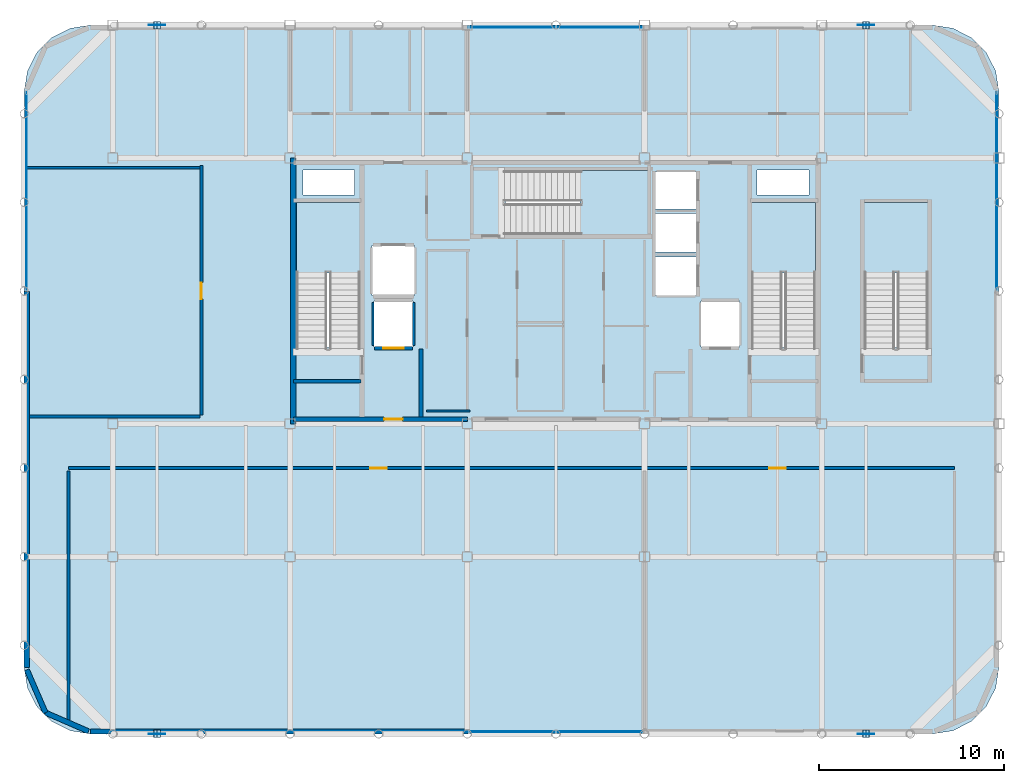
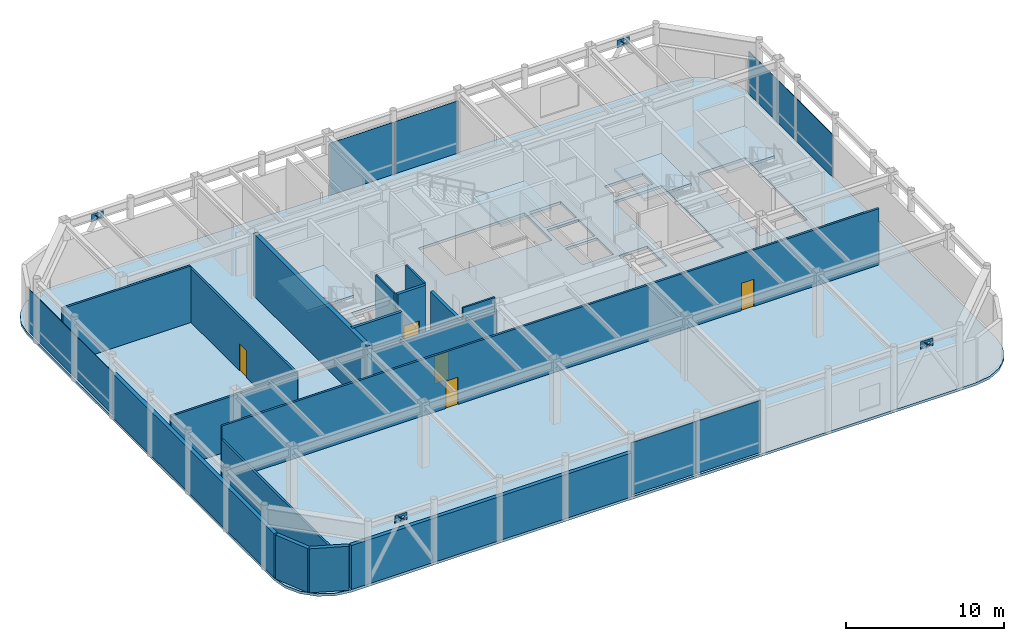
# One storey, part 16 of 21: 18 plates, 17 walls, 5 doors, 5 slabs, 5 openings, 8 elements without a shape of their own.
"""IFC4 building model written with IfcOpenShell, lengths in metres."""

from ifc_helpers import new_model, si_unit, direction, frame, frame_2d, origin, origin_2d, place, context, subcontext, project, spatial, polyline, rectangle, outline, extrude, material, layer, layer_set, type_object, element, fill, aggregate, save


model = new_model("IFC4")

# Units and contexts
model_context = context("Model", 3, precision=1e-05, world=origin(), true_north=direction((0.0, 1.0)))
body_context = subcontext(model_context, "Body", "Model", "MODEL_VIEW")
ifc_project = project(units=[si_unit("LENGTHUNIT", "METRE"), si_unit("AREAUNIT", "SQUARE_METRE"), si_unit("VOLUMEUNIT", "CUBIC_METRE"), si_unit("PLANEANGLEUNIT", "RADIAN"), si_unit("MASSUNIT", "GRAM", prefix="KILO")], contexts=[model_context])

# Site, building, storey
site_placement = place(None, origin())
site = spatial("IfcSite", under=ifc_project, at=site_placement, CompositionType="ELEMENT")
building_placement = place(site_placement, origin())
building = spatial("IfcBuilding", under=site, at=building_placement, Name="Kallvorn Hotel Tower", CompositionType="ELEMENT")
storey_placement = place(building_placement, frame((0.0, 0.0, 295.60009765625)))
storey = spatial("IfcBuildingStorey", under=building, at=storey_placement, Name="L73", CompositionType="ELEMENT", Elevation=295.60009765625)

# Curtain wall, plates
ifc_material_1 = material(Name="Thermally broken black-anodised aluminium AA 6063-T6", Category="aluminium")
ifc_layer_1 = layer(ifc_material_1, 0.25)
ifc_layer_set_1 = layer_set([ifc_layer_1], Name="CW_SYS_6_SUMMIT_OBS")
curtain_wall_type = type_object("IfcCurtainWallType", Name="CW_SYS_6_SUMMIT_OBS", PredefinedType="USERDEFINED", material=ifc_layer_set_1)
curtain_wall_1_placement = place(storey_placement, origin())
curtain_wall_1 = element("IfcCurtainWall", 1, at=curtain_wall_1_placement, inside=storey, type_object=curtain_wall_type, Name="L73 Dark-Glass Curtain Wall CW-L73-SC", ObjectType="UNITISED CURTAIN WALL", PredefinedType="USERDEFINED")
ifc_material_2 = material(Name="Triple-glazed low-e acoustic solar-control dark glass", Category="glass")
ifc_layer_2 = layer(ifc_material_2, 0.044921875)
ifc_layer_set_2 = layer_set([ifc_layer_2], Name="CW_SYS_6_SUMMIT_OBS_PANEL")
plate_type_1 = type_object("IfcPlateType", Name="CW_SYS_6_SUMMIT_OBS_PANEL", PredefinedType="CURTAIN_PANEL", material=ifc_layer_set_2)
plate_1_placement = place(storey_placement, frame((-2.375, -23.8798828125, 0.06005859375), z_axis=(0.0, 0.0, 1.0), x_axis=(1.0, 0.0, 0.0)))
plate_1 = element("IfcPlate", 2, at=plate_1_placement, type_object=plate_type_1, Name="CW-L73-SC Vision Glass Panel 00", PredefinedType="CURTAIN_PANEL", context=body_context, shape_type="SweptSolid", body=[
    extrude(rectangle(XDim=4.68994140625, YDim=0.044921875, at=origin_2d()), origin(), (0.0, 0.0, 1.0), 4.030029296875),
])
plate_2_placement = place(storey_placement, frame((2.375, -23.8798828125, 0.06005859375), z_axis=(0.0, 0.0, 1.0), x_axis=(1.0, 0.0, 0.0)))
plate_2 = element("IfcPlate", 3, at=plate_2_placement, type_object=plate_type_1, Name="CW-L73-SC Vision Glass Panel 01", PredefinedType="CURTAIN_PANEL", context=body_context, shape_type="SweptSolid", body=[
    extrude(rectangle(XDim=4.68994140625, YDim=0.044921875, at=origin_2d()), origin(), (0.0, 0.0, 1.0), 4.030029296875),
])
aggregate(curtain_wall_1, [plate_1, plate_2])

curtain_wall_2_placement = place(storey_placement, origin())
curtain_wall_2 = element("IfcCurtainWall", 4, at=curtain_wall_2_placement, inside=storey, type_object=curtain_wall_type, Name="L73 Dark-Glass Curtain Wall CW-L73-NC", ObjectType="UNITISED CURTAIN WALL", PredefinedType="USERDEFINED")
plate_3_placement = place(storey_placement, frame((-2.375, 14.280029296875, 0.06005859375), z_axis=(0.0, 0.0, 1.0), x_axis=(1.0, 0.0, 0.0)))
plate_3 = element("IfcPlate", 5, at=plate_3_placement, type_object=plate_type_1, Name="CW-L73-NC Vision Glass Panel 00", PredefinedType="CURTAIN_PANEL", context=body_context, shape_type="SweptSolid", body=[
    extrude(rectangle(XDim=4.68994140625, YDim=0.044921875, at=origin_2d()), origin(), (0.0, 0.0, 1.0), 4.030029296875),
])
plate_4_placement = place(storey_placement, frame((2.375, 14.280029296875, 0.06005859375), z_axis=(0.0, 0.0, 1.0), x_axis=(1.0, 0.0, 0.0)))
plate_4 = element("IfcPlate", 6, at=plate_4_placement, type_object=plate_type_1, Name="CW-L73-NC Vision Glass Panel 01", PredefinedType="CURTAIN_PANEL", context=body_context, shape_type="SweptSolid", body=[
    extrude(rectangle(XDim=4.68994140625, YDim=0.044921875, at=origin_2d()), origin(), (0.0, 0.0, 1.0), 4.030029296875),
])
aggregate(curtain_wall_2, [plate_3, plate_4])

# Curtain wall, plate
curtain_wall_3_placement = place(storey_placement, origin())
curtain_wall_3 = element("IfcCurtainWall", 7, at=curtain_wall_3_placement, inside=storey, type_object=curtain_wall_type, Name="L73 Dark-Glass Curtain Wall CW-L73-WN", ObjectType="UNITISED CURTAIN WALL", PredefinedType="USERDEFINED")
plate_5_placement = place(storey_placement, frame((-28.679931640625, 5.409912109375, 0.06005859375), z_axis=(0.0, 0.0, 1.0), x_axis=(0.0, 1.0, 0.0)))
plate_5 = element("IfcPlate", 8, at=plate_5_placement, type_object=plate_type_1, Name="CW-L73-WN Vision Glass Panel 00", PredefinedType="CURTAIN_PANEL", context=body_context, shape_type="SweptSolid", body=[
    extrude(rectangle(XDim=10.719970703125, YDim=0.044921875, at=origin_2d()), origin(), (0.0, 0.0, 1.0), 3.280029296875),
])
aggregate(curtain_wall_3, [plate_5])

curtain_wall_4_placement = place(storey_placement, origin())
curtain_wall_4 = element("IfcCurtainWall", 9, at=curtain_wall_4_placement, inside=storey, type_object=curtain_wall_type, Name="L73 Dark-Glass Curtain Wall CW-L73-EN", ObjectType="UNITISED CURTAIN WALL", PredefinedType="USERDEFINED")
plate_6_placement = place(storey_placement, frame((23.8798828125, 5.409912109375, 0.06005859375), z_axis=(0.0, 0.0, 1.0), x_axis=(0.0, 1.0, 0.0)))
plate_6 = element("IfcPlate", 10, at=plate_6_placement, type_object=plate_type_1, Name="CW-L73-EN Vision Glass Panel 00", PredefinedType="CURTAIN_PANEL", context=body_context, shape_type="SweptSolid", body=[
    extrude(rectangle(XDim=10.719970703125, YDim=0.044921875, at=origin_2d()), origin(), (0.0, 0.0, 1.0), 3.280029296875),
])
aggregate(curtain_wall_4, [plate_6])

# Plates
ifc_material_3 = material(Name="Structural steel S355JR", Category="steel")
ifc_layer_3 = layer(ifc_material_3, 0.030029296875)
ifc_layer_set_3 = layer_set([ifc_layer_3], Name="PLT_CAP_30")
plate_type_2 = type_object("IfcPlateType", Name="PLT_CAP_30", PredefinedType="SHEET", material=ifc_layer_set_3)
plate_7_placement = place(storey_placement, frame((-21.420166015625, -24.201904296875, 4.247802734375), z_axis=(0.499390932749, 0.0, 0.866376763474), x_axis=(0.0, 1.0, 0.0)))
element("IfcPlate", 11, at=plate_7_placement, inside=storey, type_object=plate_type_2, Name="EXO-L73-S1A End Cap Plate B", PredefinedType="SHEET", context=body_context, shape_type="SweptSolid", body=[
    extrude(outline(polyline([(0.0, 0.0), (0.40380859375, 0.0), (0.40380859375, 0.4038122100852654), (0.0, 0.4038122100852654), (0.0, 0.0)])), origin(), (0.0, 0.0, -1.0), 0.030029296875),
])
plate_8_placement = place(storey_placement, frame((-21.77978515625, -23.798095703125, 4.247802734375), z_axis=(-0.49965262916, 0.0, 0.866225865565), x_axis=(0.0, -1.0, 0.0)))
element("IfcPlate", 12, at=plate_8_placement, inside=storey, type_object=plate_type_2, Name="EXO-L73-S1B End Cap Plate B", PredefinedType="SHEET", context=body_context, shape_type="SweptSolid", body=[
    extrude(outline(polyline([(0.0, 0.0), (0.40380859375, 0.0), (0.40380859375, 0.4036007107360751), (0.0, 0.4036007107360751), (0.0, 0.0)])), origin(), (0.0, 0.0, -1.0), 0.030029296875),
])
for number, where, z_axis, x_axis, name in (
    (13, (16.97998046875, -24.201904296875, 4.247802734375), (0.499390932749, 0.0, 0.866376763474), (0.0, 1.0, 0.0), "EXO-L73-S2A End Cap Plate B"),
    (14, (16.6201171875, -23.798095703125, 4.247802734375), (-0.499390932749, 0.0, 0.866376763474), (0.0, -1.0, 0.0), "EXO-L73-S2B End Cap Plate B"),
):
    element("IfcPlate", number, at=place(storey_placement, frame(where, z_axis=z_axis, x_axis=x_axis)), inside=storey, type_object=plate_type_2, Name=name, PredefinedType="SHEET", context=body_context, shape_type="SweptSolid", body=[
        extrude(outline(polyline([(0.0, 0.0), (0.40380859375, 0.0), (0.40380859375, 0.4038122100852654), (0.0, 0.4038122100852654), (0.0, 0.0)])), origin(), (0.0, 0.0, -1.0), 0.030029296875),
    ])
plate_9_placement = place(storey_placement, frame((-21.420166015625, 14.197998046875, 4.247802734375), z_axis=(0.499390932749, 0.0, 0.866376763474), x_axis=(0.0, 1.0, 0.0)))
element("IfcPlate", 15, at=plate_9_placement, inside=storey, type_object=plate_type_2, Name="EXO-L73-N1A End Cap Plate B", PredefinedType="SHEET", context=body_context, shape_type="SweptSolid", body=[
    extrude(outline(polyline([(0.0, 0.0), (0.404052734375, 0.0), (0.404052734375, 0.4038122100852654), (0.0, 0.4038122100852654), (0.0, 0.0)])), origin(), (0.0, 0.0, -1.0), 0.030029296875),
])
plate_10_placement = place(storey_placement, frame((-21.77978515625, 14.60205078125, 4.247802734375), z_axis=(-0.49965262916, 0.0, 0.866225865565), x_axis=(0.0, -1.0, 0.0)))
element("IfcPlate", 16, at=plate_10_placement, inside=storey, type_object=plate_type_2, Name="EXO-L73-N1B End Cap Plate B", PredefinedType="SHEET", context=body_context, shape_type="SweptSolid", body=[
    extrude(outline(polyline([(0.0, 0.0), (0.404052734375, 0.0), (0.404052734375, 0.4036007107360751), (0.0, 0.4036007107360751), (0.0, 0.0)])), origin(), (0.0, 0.0, -1.0), 0.030029296875),
])
for number, where, z_axis, x_axis, name in (
    (17, (16.97998046875, 14.197998046875, 4.247802734375), (0.499390932749, 0.0, 0.866376763474), (0.0, 1.0, 0.0), "EXO-L73-N2A End Cap Plate B"),
    (18, (16.6201171875, 14.60205078125, 4.247802734375), (-0.499390932749, 0.0, 0.866376763474), (0.0, -1.0, 0.0), "EXO-L73-N2B End Cap Plate B"),
):
    element("IfcPlate", number, at=place(storey_placement, frame(where, z_axis=z_axis, x_axis=x_axis)), inside=storey, type_object=plate_type_2, Name=name, PredefinedType="SHEET", context=body_context, shape_type="SweptSolid", body=[
        extrude(outline(polyline([(0.0, 0.0), (0.404052734375, 0.0), (0.404052734375, 0.4038122100852654), (0.0, 0.4038122100852654), (0.0, 0.0)])), origin(), (0.0, 0.0, -1.0), 0.030029296875),
    ])
ifc_material_4 = material(Name="Structural steel S355JR", Category="steel")
ifc_layer_4 = layer(ifc_material_4, 0.034912109375)
ifc_layer_set_4 = layer_set([ifc_layer_4], Name="PLT_GUSSET_35")
plate_type_3 = type_object("IfcPlateType", Name="PLT_GUSSET_35", PredefinedType="USERDEFINED", material=ifc_layer_set_4)
for number, where, z_axis, x_axis, name in (
    (19, (-21.60009765625, -24.0, 4.019775390625), (0.0, 0.0, 1.0), (1.0, 0.0, 0.0), "L73 Exoskeleton Node Gusset S1"),
    (20, (16.800048828125, -24.0, 4.019775390625), (0.0, 0.0, 1.0), (1.0, 0.0, 0.0), "L73 Exoskeleton Node Gusset S2"),
    (21, (-21.60009765625, 14.39990234375, 4.019775390625), (0.0, 0.0, 1.0), (1.0, 0.0, 0.0), "L73 Exoskeleton Node Gusset N1"),
    (22, (16.800048828125, 14.39990234375, 4.019775390625), (0.0, 0.0, 1.0), (1.0, 0.0, 0.0), "L73 Exoskeleton Node Gusset N2"),
):
    element("IfcPlate", number, at=place(storey_placement, frame(where, z_axis=z_axis, x_axis=x_axis)), inside=storey, type_object=plate_type_3, Name=name, ObjectType="GUSSET PLATE", PredefinedType="USERDEFINED", context=body_context, shape_type="SweptSolid", body=[
        extrude(rectangle(XDim=0.89990234375, YDim=0.034912109375, at=origin_2d()), origin(), (0.0, 0.0, 1.0), 0.56005859375),
    ])

# Stair, slab
ifc_material_5 = material(Name="Precast concrete C40/50", Category="concrete")
stair_type = type_object("IfcStairType", Name="STR_CORE_DOGLEG", PredefinedType="HALF_TURN_STAIR", material=ifc_material_5)
stair_1_placement = place(storey_placement, origin())
stair_1 = element("IfcStair", 23, at=stair_1_placement, inside=storey, type_object=stair_type, Name="L73 Exit stair ST1", PredefinedType="HALF_TURN_STAIR")
ifc_material_6 = material(Name="Precast concrete C40/50", Category="concrete")
ifc_layer_5 = layer(ifc_material_6, 0.179931640625)
ifc_layer_set_5 = layer_set([ifc_layer_5], Name="SLB_LANDING_180")
slab_type_1 = type_object("IfcSlabType", Name="SLB_LANDING_180", PredefinedType="LANDING", material=ifc_layer_set_5)
slab_1_placement = place(storey_placement, frame((0.0, 0.0, 2.2998046875)))
slab_1 = element("IfcSlab", 24, at=slab_1_placement, type_object=slab_type_1, Name="ST1 landing 1", PredefinedType="LANDING", context=body_context, shape_type="SweptSolid", body=[
    extrude(outline(polyline([(-10.60009765625, 0.969970703125), (-10.60009765625, 4.800048828125), (-14.06005859375, 4.800048828125), (-14.06005859375, 0.969970703125), (-10.60009765625, 0.969970703125)])), origin(), (0.0, 0.0, 1.0), 0.2001953125),
])
aggregate(stair_1, [slab_1])

stair_2_placement = place(storey_placement, origin())
stair_2 = element("IfcStair", 25, at=stair_2_placement, inside=storey, type_object=stair_type, Name="L73 Exit stair ST2", PredefinedType="HALF_TURN_STAIR")
slab_2_placement = place(storey_placement, frame((0.0, 0.0, 2.2998046875)))
slab_2 = element("IfcSlab", 26, at=slab_2_placement, type_object=slab_type_1, Name="ST2 landing 1", PredefinedType="LANDING", context=body_context, shape_type="SweptSolid", body=[
    extrude(outline(polyline([(14.06005859375, 0.969970703125), (14.06005859375, 4.800048828125), (10.60009765625, 4.800048828125), (10.60009765625, 0.969970703125), (14.06005859375, 0.969970703125)])), origin(), (0.0, 0.0, 1.0), 0.2001953125),
])
aggregate(stair_2, [slab_2])

stair_3_placement = place(storey_placement, origin())
stair_3 = element("IfcStair", 27, at=stair_3_placement, inside=storey, type_object=stair_type, Name="L73 Exit stair ST3", PredefinedType="HALF_TURN_STAIR")
slab_3_placement = place(storey_placement, frame((0.0, 0.0, 2.2998046875)))
slab_3 = element("IfcSlab", 28, at=slab_3_placement, type_object=slab_type_1, Name="ST3 landing 1", PredefinedType="LANDING", context=body_context, shape_type="SweptSolid", body=[
    extrude(outline(polyline([(1.320068359375, 3.050048828125), (5.050048828125, 3.050048828125), (5.050048828125, 6.510009765625), (1.320068359375, 6.510009765625), (1.320068359375, 3.050048828125)])), origin(), (0.0, 0.0, 1.0), 0.2001953125),
])
aggregate(stair_3, [slab_3])

stair_4_placement = place(storey_placement, origin())
stair_4 = element("IfcStair", 29, at=stair_4_placement, inside=storey, type_object=stair_type, Name="L73 Exit stair ST4", PredefinedType="HALF_TURN_STAIR")
slab_4_placement = place(storey_placement, frame((0.0, 0.0, 2.2998046875)))
slab_4 = element("IfcSlab", 30, at=slab_4_placement, type_object=slab_type_1, Name="ST4 landing 1", PredefinedType="LANDING", context=body_context, shape_type="SweptSolid", body=[
    extrude(outline(polyline([(20.159912109375, 0.969970703125), (20.159912109375, 4.800048828125), (16.699951171875, 4.800048828125), (16.699951171875, 0.969970703125), (20.159912109375, 0.969970703125)])), origin(), (0.0, 0.0, 1.0), 0.2001953125),
])
aggregate(stair_4, [slab_4])

# Slab
ifc_material_7 = material(Name="Concrete C40/50", Category="concrete")
ifc_layer_6 = layer(ifc_material_7, 0.199951171875)
ifc_layer_set_6 = layer_set([ifc_layer_6], Name="SLB_SUMMIT_200")
slab_type_2 = type_object("IfcSlabType", Name="SLB_SUMMIT_200", PredefinedType="FLOOR", material=ifc_layer_set_6)
slab_5_placement = place(storey_placement, frame((0.0, 0.0, -0.2001953125)))
element("IfcSlab", 31, at=slab_5_placement, inside=storey, type_object=slab_type_2, Name="L73 Structural Floor Slab", PredefinedType="FLOOR", context=body_context, shape_type="SweptSolid", body=[
    extrude(outline(polyline([(20.39990234375, -24.0), (21.512451171875, -23.82373046875), (22.51611328125, -23.3125), (23.3125, -22.51611328125), (23.82373046875, -21.512451171875), (24.0, -20.39990234375), (24.0, 10.800048828125), (23.82373046875, 11.91259765625), (23.3125, 12.916015625), (22.51611328125, 13.71240234375), (21.512451171875, 14.223876953125), (20.39990234375, 14.39990234375), (-25.199951171875, 14.39990234375), (-26.3125, 14.223876953125), (-27.31591796875, 13.71240234375), (-28.112548828125, 12.916015625), (-28.623779296875, 11.91259765625), (-28.800048828125, 10.800048828125), (-28.800048828125, -20.39990234375), (-28.623779296875, -21.512451171875), (-28.112548828125, -22.51611328125), (-27.31591796875, -23.3125), (-26.3125, -23.82373046875), (-25.199951171875, -24.0), (20.39990234375, -24.0)]), holes=[polyline([(-10.60009765625, -3.070068359375), (-10.60009765625, 4.800048828125), (-14.06005859375, 4.800048828125), (-14.06005859375, -3.070068359375), (-10.60009765625, -3.070068359375)]), polyline([(14.06005859375, -3.070068359375), (14.06005859375, 4.800048828125), (10.60009765625, 4.800048828125), (10.60009765625, -3.070068359375), (14.06005859375, -3.070068359375)]), polyline([(-2.719970703125, 3.050048828125), (5.050048828125, 3.050048828125), (5.050048828125, 6.510009765625), (-2.719970703125, 6.510009765625), (-2.719970703125, 3.050048828125)]), polyline([(20.159912109375, -3.070068359375), (20.159912109375, 4.800048828125), (16.699951171875, 4.800048828125), (16.699951171875, -3.070068359375), (20.159912109375, -3.070068359375)]), polyline([(5.35009765625, -0.25), (7.64990234375, -0.25), (7.64990234375, 1.85009765625), (5.35009765625, 1.85009765625), (5.35009765625, -0.25)]), polyline([(5.35009765625, 2.10009765625), (7.64990234375, 2.10009765625), (7.64990234375, 4.199951171875), (5.35009765625, 4.199951171875), (5.35009765625, 2.10009765625)]), polyline([(5.35009765625, 4.449951171875), (7.64990234375, 4.449951171875), (7.64990234375, 6.449951171875), (5.35009765625, 6.449951171875), (5.35009765625, 4.449951171875)]), polyline([(-9.85009765625, -3.050048828125), (-7.75, -3.050048828125), (-7.75, -0.550048828125), (-9.85009765625, -0.550048828125), (-9.85009765625, -3.050048828125)]), polyline([(7.85009765625, -3.050048828125), (9.949951171875, -3.050048828125), (9.949951171875, -0.550048828125), (7.85009765625, -0.550048828125), (7.85009765625, -3.050048828125)]), polyline([(-9.949951171875, -0.25), (-7.64990234375, -0.25), (-7.64990234375, 2.449951171875), (-9.949951171875, 2.449951171875), (-9.949951171875, -0.25)]), polyline([(-13.699951171875, 5.199951171875), (-10.89990234375, 5.199951171875), (-10.89990234375, 6.550048828125), (-13.699951171875, 6.550048828125), (-13.699951171875, 5.199951171875)]), polyline([(10.89990234375, 5.199951171875), (13.699951171875, 5.199951171875), (13.699951171875, 6.550048828125), (10.89990234375, 6.550048828125), (10.89990234375, 5.199951171875)])]), origin(), (0.0, 0.0, 1.0), 0.2001953125),
])

# Walls
ifc_material_8 = material(Name="Concrete C50/60", Category="concrete")
ifc_layer_7 = layer(ifc_material_8, 0.300048828125)
ifc_layer_set_7 = layer_set([ifc_layer_7], Name="WL_CORE_300")
wall_type_1 = type_object("IfcWallType", Name="WL_CORE_300", PredefinedType="SHEAR", material=ifc_layer_set_7)
wall_1_placement = place(storey_placement, frame((-14.215087890625, -7.199951171875, -0.2001953125), z_axis=(0.0, 0.0, 1.0), x_axis=(0.0, 1.0, 0.0)))
element("IfcWall", 32, at=wall_1_placement, inside=storey, type_object=wall_type_1, Name="L73 Core West Shear Wall", PredefinedType="SHEAR", context=body_context, shape_type="SweptSolid", body=[
    extrude(rectangle(XDim=14.39990234375, YDim=0.300048828125, at=frame_2d((7.199951171875, 0.0))), origin(), (0.0, 0.0, 1.0), 5.0),
])
ifc_material_9 = material(Name="Precast basalt-clad insulated concrete wall C40/50", Category="masonry")
ifc_layer_8 = layer(ifc_material_9, 0.280029296875)
ifc_layer_set_8 = layer_set([ifc_layer_8], Name="WL_EXT_LOGGIA_280")
wall_type_2 = type_object("IfcWallType", Name="WL_EXT_LOGGIA_280", PredefinedType="SOLIDWALL", material=ifc_layer_set_8)
wall_2_placement = place(storey_placement, frame((-28.657958984375, -20.520751953125, 0.0), z_axis=(0.0, 0.0, 1.0), x_axis=(0.398792985289, -0.917040977756, 0.0)))
element("IfcWall", 33, at=wall_2_placement, inside=storey, type_object=wall_type_2, Name="L73 Rounded Corner Exterior Wall SW1", PredefinedType="SOLIDWALL", context=body_context, shape_type="SweptSolid", body=[
    extrude(rectangle(XDim=2.536376953125, YDim=0.280029296875, at=frame_2d((1.26806640625, 0.0))), origin(), (0.0, 0.0, 1.0), 3.39990234375),
])
wall_3_placement = place(storey_placement, frame((-27.646484375, -22.8466796875, 0.0), z_axis=(0.0, 0.0, 1.0), x_axis=(0.917060872934, -0.398747232384, 0.0)))
element("IfcWall", 34, at=wall_3_placement, inside=storey, type_object=wall_type_2, Name="L73 Rounded Corner Exterior Wall SW2", PredefinedType="SOLIDWALL", context=body_context, shape_type="SweptSolid", body=[
    extrude(rectangle(XDim=2.5361328125, YDim=0.280029296875, at=frame_2d((1.26806640625, 0.0))), origin(), (0.0, 0.0, 1.0), 3.39990234375),
])
wall_4_placement = place(storey_placement, frame((-25.199951171875, -23.860107421875, 0.0), z_axis=(0.0, 0.0, 1.0), x_axis=(1.0, 0.0, 0.0)))
element("IfcWall", 35, at=wall_4_placement, inside=storey, type_object=wall_type_2, Name="L73 Exterior Envelope Wall EW-L73-SW", PredefinedType="SOLIDWALL", context=body_context, shape_type="SweptSolid", body=[
    extrude(rectangle(XDim=20.449951171875, YDim=0.280029296875, at=frame_2d((10.22509765625, 0.0))), origin(), (0.0, 0.0, 1.0), 3.39990234375),
])
wall_5_placement = place(storey_placement, frame((-28.659912109375, -20.39990234375, 0.0), z_axis=(0.0, 0.0, 1.0), x_axis=(0.0, 1.0, 0.0)))
element("IfcWall", 36, at=wall_5_placement, inside=storey, type_object=wall_type_2, Name="L73 Exterior Envelope Wall EW-L73-WS", PredefinedType="SOLIDWALL", context=body_context, shape_type="SweptSolid", body=[
    extrude(rectangle(XDim=20.3798828125, YDim=0.280029296875, at=frame_2d((10.18994140625, 0.0))), origin(), (0.0, 0.0, 1.0), 3.39990234375),
])
ifc_material_10 = material(Name="Concrete C40/50", Category="concrete")
ifc_layer_9 = layer(ifc_material_10, 0.219970703125)
ifc_layer_set_9 = layer_set([ifc_layer_9], Name="WL_FFL_220")
wall_type_3 = type_object("IfcWallType", Name="WL_FFL_220", PredefinedType="SOLIDWALL", material=ifc_layer_set_9)
wall_6_placement = place(storey_placement, frame((-7.300048828125, -6.820068359375, 0.0), z_axis=(0.0, 0.0, 1.0), x_axis=(0.0, 1.0, 0.0)))
element("IfcWall", 37, at=wall_6_placement, inside=storey, type_object=wall_type_3, Name="L73 Firefighting Lobby West Divider Wall", PredefinedType="SOLIDWALL", context=body_context, shape_type="SweptSolid", body=[
    extrude(rectangle(XDim=3.670166015625, YDim=0.219970703125, at=frame_2d((1.8349609375, 0.0))), origin(), (0.0, 0.0, 1.0), 4.14990234375),
])
ifc_material_11 = material(Name="Concrete C40/50", Category="concrete")
ifc_layer_10 = layer(ifc_material_11, 0.199951171875)
ifc_layer_set_10 = layer_set([ifc_layer_10], Name="WL_HOIST_200")
wall_type_4 = type_object("IfcWallType", Name="WL_HOIST_200", PredefinedType="SOLIDWALL", material=ifc_layer_set_10)
wall_7_placement = place(storey_placement, frame((-14.199951171875, -4.89990234375, -0.2001953125), z_axis=(0.0, 0.0, 1.0), x_axis=(1.0, 0.0, 0.0)))
element("IfcWall", 38, at=wall_7_placement, inside=storey, type_object=wall_type_4, Name="L73 Stair ST1 South Wall", PredefinedType="SOLIDWALL", context=body_context, shape_type="SweptSolid", body=[
    extrude(rectangle(XDim=3.64990234375, YDim=0.199951171875, at=frame_2d((1.824951171875, 0.0))), origin(), (0.0, 0.0, 1.0), 5.0),
])

# Wall, opening, door
wall_8_placement = place(storey_placement, frame((-9.820068359375, -3.10009765625, 0.0), z_axis=(0.0, 0.0, 1.0), x_axis=(1.0, 0.0, 0.0)))
wall_8 = element("IfcWall", 39, at=wall_8_placement, inside=storey, type_object=wall_type_4, Name="L73 FL-1 Landing Wall", PredefinedType="SOLIDWALL", context=body_context, shape_type="SweptSolid", body=[
    extrude(rectangle(XDim=2.0400390625, YDim=0.199951171875, at=frame_2d((1.02001953125, 0.0))), origin(), (0.0, 0.0, 1.0), 4.7998046875),
])
opening_1_placement = place(wall_8_placement, frame((0.469970703125, 0.0, 0.0)))
opening_1 = element("IfcOpeningElement", 40, at=opening_1_placement, cuts=wall_8, Name="Opening LD-FL-1", PredefinedType="OPENING", context=body_context, shape_type="SweptSolid", body=[
    extrude(rectangle(XDim=1.10009765625, YDim=2.199951171875, at=frame_2d((0.550048828125, 1.10009765625))), frame((0.0, 0.114990234375, 0.0), z_axis=(0.0, -1.0, 0.0), x_axis=(1.0, 0.0, 0.0)), (0.0, 0.0, 1.0), 0.22998046875),
])
ifc_material_12 = material(Name="Brushed stainless-steel automatic sliding lift landing door", Category="steel")
door_type_1 = type_object("IfcDoorType", Name="LD_PASS_1100x2200", OperationType="SLIDING_TO_LEFT", PredefinedType="DOOR", material=ifc_material_12)
door_1_placement = place(opening_1_placement, origin())
door_1 = element("IfcDoor", 41, at=door_1_placement, inside=storey, type_object=door_type_1, Name="L73 Lift Landing Sliding Door LD-FL-1", OperationType="SLIDING_TO_LEFT", OverallHeight=2.199951171875, OverallWidth=1.10009765625, PredefinedType="DOOR", context=body_context, shape_type="SweptSolid", body=[
    extrude(rectangle(XDim=1.10009765625, YDim=2.199951171875, at=frame_2d((0.550048828125, 1.10009765625))), frame((0.0, 0.02490234375, 0.0), z_axis=(0.0, -1.0, 0.0), x_axis=(1.0, 0.0, 0.0)), (0.0, 0.0, 1.0), 0.050048828125),
])
fill(opening_1, door_1)

# Walls
ifc_material_13 = material(Name="Fire-rated double-layer acoustic gypsum drywall EI 60")
ifc_layer_11 = layer(ifc_material_13, 0.1201171875)
ifc_layer_set_11 = layer_set([ifc_layer_11], Name="WL_INT_120")
wall_type_5 = type_object("IfcWallType", Name="WL_INT_120", PredefinedType="PARTITIONING", material=ifc_layer_set_11)
for number, where, z_axis, x_axis, name in (
    (42, (-9.89990234375, -2.9599609375, 0.0), (0.0, 0.0, 1.0), (0.0, 1.0, 0.0), "L73 FL-1 West Shaft Wall"),
    (43, (-7.699951171875, -2.9599609375, 0.0), (0.0, 0.0, 1.0), (0.0, 1.0, 0.0), "L73 FL-1 East Shaft Wall"),
):
    element("IfcWall", number, at=place(storey_placement, frame(where, z_axis=z_axis, x_axis=x_axis)), inside=storey, type_object=wall_type_5, Name=name, PredefinedType="PARTITIONING", context=body_context, shape_type="SweptSolid", body=[
        extrude(rectangle(XDim=2.320068359375, YDim=0.1201171875, at=frame_2d((1.16015625, 0.0))), origin(), (0.0, 0.0, 1.0), 4.7998046875),
    ])
wall_9_placement = place(storey_placement, frame((-7.0, -6.5, 0.0), z_axis=(0.0, 0.0, 1.0), x_axis=(1.0, 0.0, 0.0)))
element("IfcWall", 44, at=wall_9_placement, inside=storey, type_object=wall_type_5, Name="L73 Recaptured Butler and Room-Service Pantry Partition", PredefinedType="PARTITIONING", context=body_context, shape_type="SweptSolid", body=[
    extrude(rectangle(XDim=2.35009765625, YDim=0.1201171875, at=frame_2d((1.175048828125, 0.0))), origin(), (0.0, 0.0, 1.0), 4.7998046875),
])

# Wall, openings, doors
ifc_material_14 = material(Name="Fire-rated double-layer acoustic gypsum drywall EI 60")
ifc_layer_12 = layer(ifc_material_14, 0.14990234375)
ifc_layer_set_12 = layer_set([ifc_layer_12], Name="WL_PART_150")
wall_type_6 = type_object("IfcWallType", Name="WL_PART_150", PredefinedType="PARTITIONING", material=ifc_layer_set_12)
wall_10_placement = place(storey_placement, frame((-26.39990234375, -9.60009765625, 0.0), z_axis=(0.0, 0.0, 1.0), x_axis=(1.0, 0.0, 0.0)))
wall_10 = element("IfcWall", 45, at=wall_10_placement, inside=storey, type_object=wall_type_6, Name="L73 Sky Jazz and Acoustic Performance Hall Partition", PredefinedType="PARTITIONING", context=body_context, shape_type="SweptSolid", body=[
    extrude(rectangle(XDim=48.0, YDim=0.14990234375, at=frame_2d((24.0, 0.0))), origin(), (0.0, 0.0, 1.0), 4.35986328125),
])
opening_2_placement = place(wall_10_placement, frame((16.35009765625, 0.0, 0.0)))
opening_2 = element("IfcOpeningElement", 46, at=opening_2_placement, cuts=wall_10, Name="Opening SVD1", PredefinedType="OPENING", context=body_context, shape_type="SweptSolid", body=[
    extrude(rectangle(XDim=0.89990234375, YDim=2.10009765625, at=frame_2d((0.449951171875, 1.050048828125))), frame((0.0, 0.08984375, 0.0), z_axis=(0.0, -1.0, 0.0), x_axis=(1.0, 0.0, 0.0)), (0.0, 0.0, 1.0), 0.179931640625),
])
opening_3_placement = place(wall_10_placement, frame((37.949951171875, 0.0, 0.0)))
opening_3 = element("IfcOpeningElement", 47, at=opening_3_placement, cuts=wall_10, Name="Opening SVD1", PredefinedType="OPENING", context=body_context, shape_type="SweptSolid", body=[
    extrude(rectangle(XDim=0.89990234375, YDim=2.10009765625, at=frame_2d((0.449951171875, 1.050048828125))), frame((0.0, 0.08984375, 0.0), z_axis=(0.0, -1.0, 0.0), x_axis=(1.0, 0.0, 0.0)), (0.0, 0.0, 1.0), 0.179931640625),
])
ifc_material_15 = material(Name="Galvanised painted steel fire-rated door assembly", Category="steel")
door_type_2 = type_object("IfcDoorType", Name="DR_SERV_900x2100", OperationType="NOTDEFINED", PredefinedType="DOOR", material=ifc_material_15)
door_2_placement = place(opening_2_placement, origin())
door_2 = element("IfcDoor", 48, at=door_2_placement, inside=storey, type_object=door_type_2, Name="L73 Sky Jazz and Acoustic Performance Hall Door", OperationType="SINGLE_SWING_LEFT", OverallHeight=2.10009765625, OverallWidth=0.89990234375, PredefinedType="DOOR", context=body_context, shape_type="SweptSolid", body=[
    extrude(rectangle(XDim=0.89990234375, YDim=2.10009765625, at=frame_2d((0.449951171875, 1.050048828125))), frame((0.0, 0.02490234375, 0.0), z_axis=(0.0, -1.0, 0.0), x_axis=(1.0, 0.0, 0.0)), (0.0, 0.0, 1.0), 0.050048828125),
])
fill(opening_2, door_2)
door_3_placement = place(opening_3_placement, origin())
door_3 = element("IfcDoor", 49, at=door_3_placement, inside=storey, type_object=door_type_2, Name="L73 VIP Champagne Dining Salon Door", OperationType="SINGLE_SWING_LEFT", OverallHeight=2.10009765625, OverallWidth=0.89990234375, PredefinedType="DOOR", context=body_context, shape_type="SweptSolid", body=[
    extrude(rectangle(XDim=0.89990234375, YDim=2.10009765625, at=frame_2d((0.449951171875, 1.050048828125))), frame((0.0, 0.02490234375, 0.0), z_axis=(0.0, -1.0, 0.0), x_axis=(1.0, 0.0, 0.0)), (0.0, 0.0, 1.0), 0.050048828125),
])
fill(opening_3, door_3)

# Walls
wall_11_placement = place(storey_placement, frame((-28.510009765625, -6.800048828125, 0.0), z_axis=(0.0, 0.0, 1.0), x_axis=(1.0, 0.0, 0.0)))
element("IfcWall", 50, at=wall_11_placement, inside=storey, type_object=wall_type_6, Name="L73 West Acoustic Performance Gallery Partition", PredefinedType="PARTITIONING", context=body_context, shape_type="SweptSolid", body=[
    extrude(rectangle(XDim=9.22998046875, YDim=0.14990234375, at=frame_2d((4.614990234375, 0.0))), origin(), (0.0, 0.0, 1.0), 4.14990234375),
])
wall_12_placement = place(storey_placement, frame((-28.6298828125, 6.675048828125, 0.0), z_axis=(0.0, 0.0, 1.0), x_axis=(1.0, 0.0, 0.0)))
element("IfcWall", 51, at=wall_12_placement, inside=storey, type_object=wall_type_6, Name="L73 West Acoustic Performance Gallery Partition", PredefinedType="PARTITIONING", context=body_context, shape_type="SweptSolid", body=[
    extrude(rectangle(XDim=9.349853515625, YDim=0.14990234375, at=frame_2d((4.6748046875, 0.0))), origin(), (0.0, 0.0, 1.0), 4.35986328125),
])
wall_13_placement = place(storey_placement, frame((-26.39990234375, -23.238525390625, 0.0), z_axis=(0.0, 0.0, 1.0), x_axis=(0.0, 1.0, 0.0)))
element("IfcWall", 52, at=wall_13_placement, inside=storey, type_object=wall_type_6, Name="L73 Sky Jazz and Acoustic Performance Hall Partition", PredefinedType="PARTITIONING", context=body_context, shape_type="SweptSolid", body=[
    extrude(rectangle(XDim=13.488525390625, YDim=0.14990234375, at=frame_2d((6.744140625, 0.0))), origin(), (0.0, 0.0, 1.0), 3.39990234375),
])

# Wall, opening, door
wall_14_placement = place(storey_placement, frame((-19.199951171875, -6.715087890625, 0.0), z_axis=(0.0, 0.0, 1.0), x_axis=(0.0, 1.0, 0.0)))
wall_14 = element("IfcWall", 53, at=wall_14_placement, inside=storey, type_object=wall_type_6, Name="L73 West Acoustic Performance Gallery Partition", PredefinedType="PARTITIONING", context=body_context, shape_type="SweptSolid", body=[
    extrude(rectangle(XDim=13.51513671875, YDim=0.14990234375, at=frame_2d((6.757568359375, 0.0))), origin(), (0.0, 0.0, 1.0), 4.14990234375),
])
opening_4_placement = place(wall_14_placement, frame((6.264892578125, 0.0, 0.0)))
opening_4 = element("IfcOpeningElement", 54, at=opening_4_placement, cuts=wall_14, Name="Opening SVD1", PredefinedType="OPENING", context=body_context, shape_type="SweptSolid", body=[
    extrude(rectangle(XDim=0.89990234375, YDim=2.10009765625, at=frame_2d((0.449951171875, 1.050048828125))), frame((0.0, 0.08984375, 0.0), z_axis=(0.0, -1.0, 0.0), x_axis=(1.0, 0.0, 0.0)), (0.0, 0.0, 1.0), 0.179931640625),
])
door_4_placement = place(opening_4_placement, origin())
door_4 = element("IfcDoor", 55, at=door_4_placement, inside=storey, type_object=door_type_2, Name="L73 West Acoustic Performance Gallery Door", OperationType="SINGLE_SWING_RIGHT", OverallHeight=2.10009765625, OverallWidth=0.89990234375, PredefinedType="DOOR", context=body_context, shape_type="SweptSolid", body=[
    extrude(rectangle(XDim=0.89990234375, YDim=2.10009765625, at=frame_2d((0.449951171875, 1.050048828125))), frame((0.0, 0.02490234375, 0.0), z_axis=(0.0, -1.0, 0.0), x_axis=(1.0, 0.0, 0.0)), (0.0, 0.0, 1.0), 0.050048828125),
])
fill(opening_4, door_4)

ifc_material_16 = material(Name="Concrete C40/50", Category="concrete")
ifc_layer_13 = layer(ifc_material_16, 0.25)
ifc_layer_set_13 = layer_set([ifc_layer_13], Name="WL_SHAFT_250")
wall_type_7 = type_object("IfcWallType", Name="WL_SHAFT_250", PredefinedType="SOLIDWALL", material=ifc_layer_set_13)
wall_15_placement = place(storey_placement, frame((-14.199951171875, -6.949951171875, 0.0), z_axis=(0.0, 0.0, 1.0), x_axis=(1.0, 0.0, 0.0)))
wall_15 = element("IfcWall", 56, at=wall_15_placement, inside=storey, type_object=wall_type_7, Name="L73 Core South-West Wall", PredefinedType="SOLIDWALL", context=body_context, shape_type="SweptSolid", body=[
    extrude(rectangle(XDim=9.39990234375, YDim=0.25, at=frame_2d((4.699951171875, 0.0))), origin(), (0.0, 0.0, 1.0), 4.14990234375),
])
opening_5_placement = place(wall_15_placement, frame((4.89990234375, 0.0, 0.0)))
opening_5 = element("IfcOpeningElement", 57, at=opening_5_placement, cuts=wall_15, Name="Opening FD1", PredefinedType="OPENING", context=body_context, shape_type="SweptSolid", body=[
    extrude(rectangle(XDim=1.0, YDim=2.14990234375, at=frame_2d((0.5, 1.074951171875))), frame((0.0, 0.139892578125, 0.0), z_axis=(0.0, -1.0, 0.0), x_axis=(1.0, 0.0, 0.0)), (0.0, 0.0, 1.0), 0.280029296875),
])
ifc_material_17 = material(Name="Galvanised painted steel fire-rated door assembly", Category="steel")
door_type_3 = type_object("IfcDoorType", Name="DR_FFL_1000x2150", OperationType="NOTDEFINED", PredefinedType="DOOR", material=ifc_material_17)
door_5_placement = place(opening_5_placement, origin())
door_5 = element("IfcDoor", 58, at=door_5_placement, inside=storey, type_object=door_type_3, Name="L73 Firefighting Lobby West Door", OperationType="SINGLE_SWING_LEFT", OverallHeight=2.14990234375, OverallWidth=1.0, PredefinedType="DOOR", context=body_context, shape_type="SweptSolid", body=[
    extrude(rectangle(XDim=1.0, YDim=2.14990234375, at=frame_2d((0.5, 1.074951171875))), frame((0.0, 0.02490234375, 0.0), z_axis=(0.0, -1.0, 0.0), x_axis=(1.0, 0.0, 0.0)), (0.0, 0.0, 1.0), 0.050048828125),
])
fill(opening_5, door_5)

save(model, "model.ifc")
